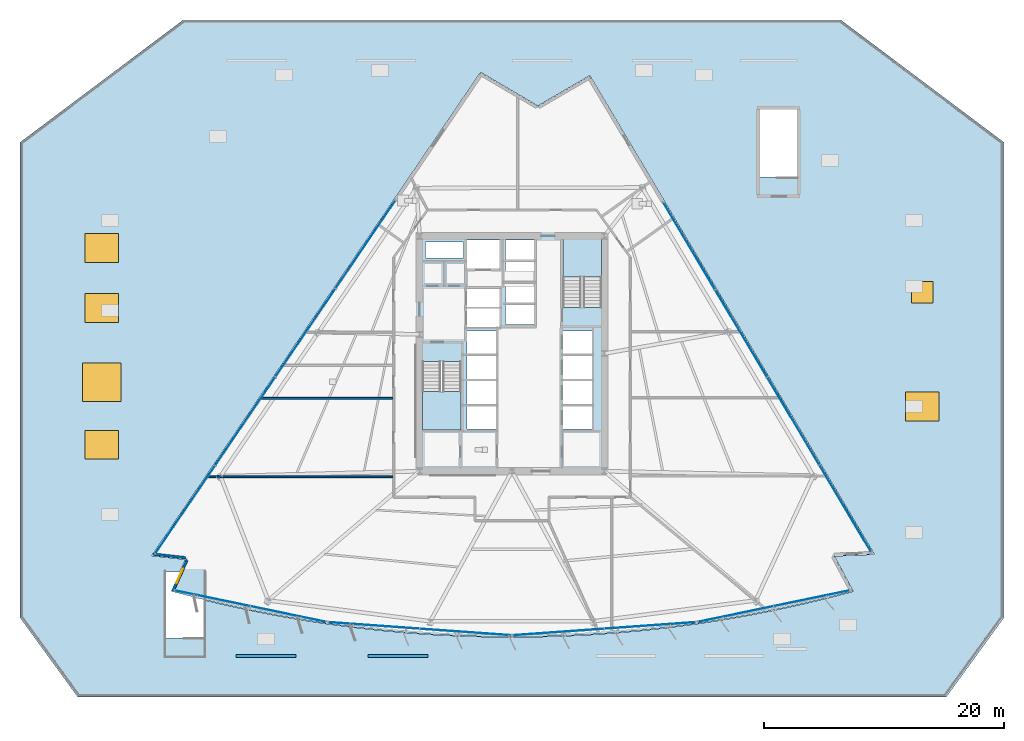
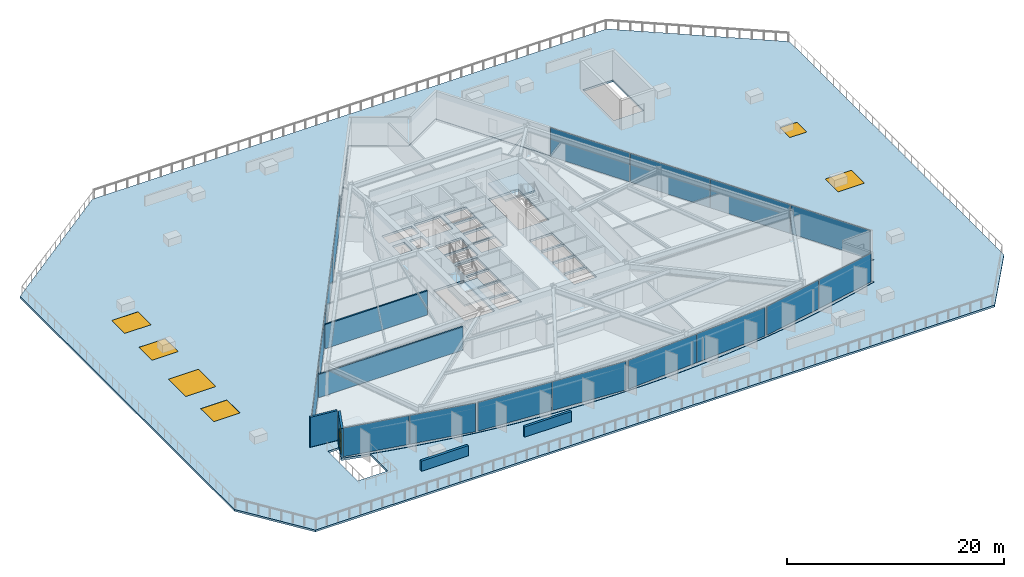
# One storey, part 7 of 19: 16 plates, 6 walls, 6 windows, 4 slabs, 1 door, 7 openings, 8 elements without a shape of their own.
"""IFC4 building model written with IfcOpenShell, lengths in metres."""

from ifc_helpers import new_model, si_unit, direction, frame, frame_2d, origin, origin_2d, place, context, subcontext, project, spatial, polyline, rectangle, outline, extrude, material, layer, layer_set, type_object, element, fill, aggregate, save


model = new_model("IFC4")

# Units and contexts
model_context = context("Model", 3, precision=1e-05, world=origin(), true_north=direction((0.0, 1.0)))
body_context = subcontext(model_context, "Body", "Model", "MODEL_VIEW")
ifc_project = project(units=[si_unit("LENGTHUNIT", "METRE"), si_unit("AREAUNIT", "SQUARE_METRE"), si_unit("VOLUMEUNIT", "CUBIC_METRE"), si_unit("PLANEANGLEUNIT", "RADIAN"), si_unit("MASSUNIT", "GRAM", prefix="KILO")], contexts=[model_context])

# Site, building, storey
site_placement = place(None, origin())
site = spatial("IfcSite", under=ifc_project, at=site_placement, CompositionType="ELEMENT")
building_placement = place(site_placement, origin())
building = spatial("IfcBuilding", under=site, at=building_placement, Name="Savorim Split Tower", CompositionType="ELEMENT")
storey_placement = place(building_placement, frame((0.0, 0.0, 26.39990234375)))
storey = spatial("IfcBuildingStorey", under=building, at=storey_placement, Name="L06", CompositionType="ELEMENT", Elevation=26.39990234375)

# Curtain wall, plates
ifc_material_1 = material(Name="Dark Ceramic-Fritted Insulated Glass", Category="glass")
curtain_wall_type = type_object("IfcCurtainWallType", Name="CW-TWR-FRIT-A", PredefinedType="NOTDEFINED", material=ifc_material_1)
curtain_wall_1_placement = place(storey_placement, origin())
curtain_wall_1 = element("IfcCurtainWall", 1, at=curtain_wall_1_placement, inside=storey, type_object=curtain_wall_type, Name="L06 Curtain Wall CW-L06-SF1", PredefinedType="NOTDEFINED")
ifc_layer_1 = layer(ifc_material_1, 0.028076171875)
ifc_layer_set_1 = layer_set([ifc_layer_1], Name="CWP-FRITA-28")
plate_type = type_object("IfcPlateType", Name="CWP-FRITA-28", PredefinedType="CURTAIN_PANEL", material=ifc_layer_set_1)
plate_1_placement = place(storey_placement, frame((-24.96826171875, -19.98974609375, 0.05517578125), z_axis=(0.0, 0.0, 1.0), x_axis=(0.979135110549, -0.203210322793, 0.0)))
plate_1 = element("IfcPlate", 2, at=plate_1_placement, type_object=plate_type, Name="CW-02 panel 1.1", PredefinedType="CURTAIN_PANEL", context=body_context, shape_type="SweptSolid", body=[
    extrude(rectangle(XDim=6.39013671875, YDim=0.028076171875, at=origin_2d()), origin(), (0.0, 0.0, 1.0), 3.239990234375),
])
plate_2_placement = place(storey_placement, frame((-18.647705078125, -21.301513671875, 0.05517578125), z_axis=(0.0, 0.0, 1.0), x_axis=(0.979135110549, -0.203210322793, 0.0)))
plate_2 = element("IfcPlate", 3, at=plate_2_placement, type_object=plate_type, Name="CW-02 panel 2.1", PredefinedType="CURTAIN_PANEL", context=body_context, shape_type="SweptSolid", body=[
    extrude(rectangle(XDim=6.39013671875, YDim=0.028076171875, at=origin_2d()), origin(), (0.0, 0.0, 1.0), 3.239990234375),
])
aggregate(curtain_wall_1, [plate_1, plate_2])

curtain_wall_2_placement = place(storey_placement, origin())
curtain_wall_2 = element("IfcCurtainWall", 4, at=curtain_wall_2_placement, inside=storey, type_object=curtain_wall_type, Name="L06 Curtain Wall CW-L06-SF2", PredefinedType="NOTDEFINED")
plate_3_placement = place(storey_placement, frame((-11.51123046875, -22.25390625, 0.05517578125), z_axis=(0.0, 0.0, 1.0), x_axis=(0.997436282589, -0.071560199658, 0.0)))
plate_3 = element("IfcPlate", 5, at=plate_3_placement, type_object=plate_type, Name="CW-02 panel 1.1", PredefinedType="CURTAIN_PANEL", context=body_context, shape_type="SweptSolid", body=[
    extrude(rectangle(XDim=7.572998046875, YDim=0.028076171875, at=origin_2d()), origin(), (0.0, 0.0, 1.0), 3.239990234375),
])
plate_4_placement = place(storey_placement, frame((-3.892822265625, -22.80029296875, 0.05517578125), z_axis=(0.0, 0.0, 1.0), x_axis=(0.997436282589, -0.071560199658, 0.0)))
plate_4 = element("IfcPlate", 6, at=plate_4_placement, type_object=plate_type, Name="CW-02 panel 2.1", PredefinedType="CURTAIN_PANEL", context=body_context, shape_type="SweptSolid", body=[
    extrude(rectangle(XDim=7.572998046875, YDim=0.028076171875, at=origin_2d()), origin(), (0.0, 0.0, 1.0), 3.239990234375),
])
aggregate(curtain_wall_2, [plate_3, plate_4])

curtain_wall_3_placement = place(storey_placement, origin())
curtain_wall_3 = element("IfcCurtainWall", 7, at=curtain_wall_3_placement, inside=storey, type_object=curtain_wall_type, Name="L06 Curtain Wall CW-L06-SF3", PredefinedType="NOTDEFINED")
plate_5_placement = place(storey_placement, frame((3.892822265625, -22.80029296875, 0.05517578125), z_axis=(0.0, 0.0, 1.0), x_axis=(0.997436282589, 0.071560199658, 0.0)))
plate_5 = element("IfcPlate", 8, at=plate_5_placement, type_object=plate_type, Name="CW-02 panel 1.1", PredefinedType="CURTAIN_PANEL", context=body_context, shape_type="SweptSolid", body=[
    extrude(rectangle(XDim=7.572998046875, YDim=0.028076171875, at=origin_2d()), origin(), (0.0, 0.0, 1.0), 3.239990234375),
])
plate_6_placement = place(storey_placement, frame((11.51123046875, -22.25390625, 0.05517578125), z_axis=(0.0, 0.0, 1.0), x_axis=(0.997436282589, 0.071560199658, 0.0)))
plate_6 = element("IfcPlate", 9, at=plate_6_placement, type_object=plate_type, Name="CW-02 panel 2.1", PredefinedType="CURTAIN_PANEL", context=body_context, shape_type="SweptSolid", body=[
    extrude(rectangle(XDim=7.572998046875, YDim=0.028076171875, at=origin_2d()), origin(), (0.0, 0.0, 1.0), 3.239990234375),
])
aggregate(curtain_wall_3, [plate_5, plate_6])

curtain_wall_4_placement = place(storey_placement, origin())
curtain_wall_4 = element("IfcCurtainWall", 10, at=curtain_wall_4_placement, inside=storey, type_object=curtain_wall_type, Name="L06 Curtain Wall CW-L06-SF4", PredefinedType="NOTDEFINED")
plate_7_placement = place(storey_placement, frame((18.647705078125, -21.301513671875, 0.05517578125), z_axis=(0.0, 0.0, 1.0), x_axis=(0.979135110549, 0.203210322793, 0.0)))
plate_7 = element("IfcPlate", 11, at=plate_7_placement, type_object=plate_type, Name="CW-02 panel 1.1", PredefinedType="CURTAIN_PANEL", context=body_context, shape_type="SweptSolid", body=[
    extrude(rectangle(XDim=6.39013671875, YDim=0.028076171875, at=origin_2d()), origin(), (0.0, 0.0, 1.0), 3.239990234375),
])
plate_8_placement = place(storey_placement, frame((24.96826171875, -19.98974609375, 0.05517578125), z_axis=(0.0, 0.0, 1.0), x_axis=(0.979135110549, 0.203210322793, 0.0)))
plate_8 = element("IfcPlate", 12, at=plate_8_placement, type_object=plate_type, Name="CW-02 panel 2.1", PredefinedType="CURTAIN_PANEL", context=body_context, shape_type="SweptSolid", body=[
    extrude(rectangle(XDim=6.39013671875, YDim=0.028076171875, at=origin_2d()), origin(), (0.0, 0.0, 1.0), 3.239990234375),
])
aggregate(curtain_wall_4, [plate_7, plate_8])

curtain_wall_5_placement = place(storey_placement, origin())
curtain_wall_5 = element("IfcCurtainWall", 13, at=curtain_wall_5_placement, inside=storey, type_object=curtain_wall_type, Name="L06 Curtain Wall CW-L06-EAST", PredefinedType="NOTDEFINED")
plate_9_placement = place(storey_placement, frame((27.76611328125, -12.51416015625, 0.05517578125), z_axis=(0.0, 0.0, 1.0), x_axis=(-0.511092439425, 0.859525752007, 0.0)))
plate_9 = element("IfcPlate", 14, at=plate_9_placement, type_object=plate_type, Name="CW-02 panel 1.1", PredefinedType="CURTAIN_PANEL", context=body_context, shape_type="SweptSolid", body=[
    extrude(rectangle(XDim=8.394775390625, YDim=0.028076171875, at=origin_2d()), origin(), (0.0, 0.0, 1.0), 3.239990234375),
])
plate_10_placement = place(storey_placement, frame((23.43408203125, -5.228759765625, 0.05517578125), z_axis=(0.0, 0.0, 1.0), x_axis=(-0.511092439425, 0.859525752007, 0.0)))
plate_10 = element("IfcPlate", 15, at=plate_10_placement, type_object=plate_type, Name="CW-02 panel 2.1", PredefinedType="CURTAIN_PANEL", context=body_context, shape_type="SweptSolid", body=[
    extrude(rectangle(XDim=8.42724609375, YDim=0.028076171875, at=origin_2d()), origin(), (0.0, 0.0, 1.0), 3.239990234375),
])
plate_11_placement = place(storey_placement, frame((19.093505859375, 2.070556640625, 0.05517578125), z_axis=(0.0, 0.0, 1.0), x_axis=(-0.511092439425, 0.859525752007, 0.0)))
plate_11 = element("IfcPlate", 16, at=plate_11_placement, type_object=plate_type, Name="CW-02 panel 3.1", PredefinedType="CURTAIN_PANEL", context=body_context, shape_type="SweptSolid", body=[
    extrude(rectangle(XDim=8.42724609375, YDim=0.028076171875, at=origin_2d()), origin(), (0.0, 0.0, 1.0), 3.239990234375),
])
plate_12_placement = place(storey_placement, frame((14.761474609375, 9.35595703125, 0.05517578125), z_axis=(0.0, 0.0, 1.0), x_axis=(-0.511092439425, 0.859525752007, 0.0)))
plate_12 = element("IfcPlate", 17, at=plate_12_placement, type_object=plate_type, Name="CW-02 panel 4.1", PredefinedType="CURTAIN_PANEL", context=body_context, shape_type="SweptSolid", body=[
    extrude(rectangle(XDim=8.394775390625, YDim=0.028076171875, at=origin_2d()), origin(), (0.0, 0.0, 1.0), 3.239990234375),
])
aggregate(curtain_wall_5, [plate_9, plate_10, plate_11, plate_12])

curtain_wall_6_placement = place(storey_placement, origin())
curtain_wall_6 = element("IfcCurtainWall", 18, at=curtain_wall_6_placement, inside=storey, type_object=curtain_wall_type, Name="L06 Curtain Wall CW-L06-WEST", PredefinedType="NOTDEFINED")
plate_13_placement = place(storey_placement, frame((-12.20166015625, 9.489990234375, 0.05517578125), z_axis=(0.0, 0.0, 1.0), x_axis=(-0.562465253164, -0.826820923165, 0.0)))
plate_13 = element("IfcPlate", 19, at=plate_13_placement, type_object=plate_type, Name="CW-02 panel 1.1", PredefinedType="CURTAIN_PANEL", context=body_context, shape_type="SweptSolid", body=[
    extrude(rectangle(XDim=8.822265625, YDim=0.028076171875, at=origin_2d()), origin(), (0.0, 0.0, 1.0), 3.239990234375),
])
plate_14_placement = place(storey_placement, frame((-17.20947265625, 2.12841796875, 0.05517578125), z_axis=(0.0, 0.0, 1.0), x_axis=(-0.562465253164, -0.826820923165, 0.0)))
plate_14 = element("IfcPlate", 20, at=plate_14_placement, type_object=plate_type, Name="CW-02 panel 2.1", PredefinedType="CURTAIN_PANEL", context=body_context, shape_type="SweptSolid", body=[
    extrude(rectangle(XDim=8.854736328125, YDim=0.028076171875, at=origin_2d()), origin(), (0.0, 0.0, 1.0), 3.239990234375),
])
plate_15_placement = place(storey_placement, frame((-22.2265625, -5.24658203125, 0.05517578125), z_axis=(0.0, 0.0, 1.0), x_axis=(-0.562465253164, -0.826820923165, 0.0)))
plate_15 = element("IfcPlate", 21, at=plate_15_placement, type_object=plate_type, Name="CW-02 panel 3.1", PredefinedType="CURTAIN_PANEL", context=body_context, shape_type="SweptSolid", body=[
    extrude(rectangle(XDim=8.854736328125, YDim=0.028076171875, at=origin_2d()), origin(), (0.0, 0.0, 1.0), 3.239990234375),
])
plate_16_placement = place(storey_placement, frame((-27.234375, -12.608154296875, 0.05517578125), z_axis=(0.0, 0.0, 1.0), x_axis=(-0.562465253164, -0.826820923165, 0.0)))
plate_16 = element("IfcPlate", 22, at=plate_16_placement, type_object=plate_type, Name="CW-02 panel 4.1", PredefinedType="CURTAIN_PANEL", context=body_context, shape_type="SweptSolid", body=[
    extrude(rectangle(XDim=8.822265625, YDim=0.028076171875, at=origin_2d()), origin(), (0.0, 0.0, 1.0), 3.239990234375),
])
aggregate(curtain_wall_6, [plate_13, plate_14, plate_15, plate_16])

# Slab
ifc_material_2 = material(Name="Concrete C50/60", Category="concrete")
ifc_layer_2 = layer(ifc_material_2, 0.219970703125)
ifc_layer_set_2 = layer_set([ifc_layer_2], Name="SLB-GDN-220")
slab_type_1 = type_object("IfcSlabType", Name="SLB-GDN-220", PredefinedType="FLOOR", material=ifc_layer_set_2)
slab_1_placement = place(storey_placement, frame((0.0, 0.0, -0.25)))
element("IfcSlab", 23, at=slab_1_placement, inside=storey, type_object=slab_type_1, Name="L06 Tower Base Floor Slab", PredefinedType="FLOOR", context=body_context, shape_type="SweptSolid", body=[
    extrude(outline(polyline([(-28.39990234375, -19.39990234375), (-26.261474609375, -19.959228515625), (-24.11181640625, -20.474609375), (-21.951904296875, -20.946044921875), (-19.783203125, -21.373046875), (-17.60595703125, -21.755615234375), (-15.42138671875, -22.093505859375), (-13.230224609375, -22.38671875), (-11.03369140625, -22.635009765625), (-8.83251953125, -22.83837890625), (-6.627685546875, -22.99658203125), (-4.419921875, -23.109619140625), (-2.21044921875, -23.177490234375), (0.0, -23.199951171875), (2.21044921875, -23.177490234375), (4.419921875, -23.109619140625), (6.627685546875, -22.99658203125), (8.83251953125, -22.83837890625), (11.03369140625, -22.635009765625), (13.230224609375, -22.38671875), (15.42138671875, -22.093505859375), (17.60595703125, -21.755615234375), (19.783203125, -21.373046875), (21.951904296875, -20.946044921875), (24.11181640625, -20.474609375), (26.261474609375, -19.959228515625), (28.39990234375, -19.39990234375), (26.81591796875, -16.447998046875), (30.16015625, -16.3056640625), (6.473876953125, 23.5283203125), (2.14990234375, 21.00830078125), (-2.6083984375, 23.80517578125), (-29.97509765625, -16.423583984375), (-27.176025390625, -16.736083984375), (-28.39990234375, -19.39990234375)]), holes=[polyline([(-7.449951171875, -0.25390625), (-7.449951171875, -5.949951171875), (-4.25, -5.949951171875), (-4.25, -0.25390625), (-7.449951171875, -0.25390625)]), polyline([(7.449951171875, 4.25390625), (7.449951171875, 9.949951171875), (4.25, 9.949951171875), (4.25, 4.25390625), (7.449951171875, 4.25390625)]), polyline([(4.25, -5.89990234375), (6.64990234375, -5.89990234375), (6.64990234375, -4.0), (4.25, -4.0), (4.25, -5.89990234375)]), polyline([(4.25, -3.800048828125), (6.64990234375, -3.800048828125), (6.64990234375, -1.89990234375), (4.25, -1.89990234375), (4.25, -3.800048828125)]), polyline([(4.25, -1.699951171875), (6.64990234375, -1.699951171875), (6.64990234375, 0.199951171875), (4.25, 0.199951171875), (4.25, -1.699951171875)]), polyline([(4.25, 0.39990234375), (6.64990234375, 0.39990234375), (6.64990234375, 2.300048828125), (4.25, 2.300048828125), (4.25, 0.39990234375)]), polyline([(-3.75, -5.89990234375), (-1.35009765625, -5.89990234375), (-1.35009765625, -4.0), (-3.75, -4.0), (-3.75, -5.89990234375)]), polyline([(-3.75, -3.800048828125), (-1.35009765625, -3.800048828125), (-1.35009765625, -1.89990234375), (-3.75, -1.89990234375), (-3.75, -3.800048828125)]), polyline([(-3.75, -1.699951171875), (-1.35009765625, -1.699951171875), (-1.35009765625, 0.199951171875), (-3.75, 0.199951171875), (-3.75, -1.699951171875)]), polyline([(-3.75, 0.39990234375), (-1.35009765625, 0.39990234375), (-1.35009765625, 2.300048828125), (-3.75, 2.300048828125), (-3.75, 0.39990234375)]), polyline([(-0.550048828125, 2.830078125), (1.85009765625, 2.830078125), (1.85009765625, 4.469970703125), (-0.550048828125, 4.469970703125), (-0.550048828125, 2.830078125)]), polyline([(-0.550048828125, 4.6298828125), (1.85009765625, 4.6298828125), (1.85009765625, 6.27001953125), (-0.550048828125, 6.27001953125), (-0.550048828125, 4.6298828125)]), polyline([(-0.550048828125, 6.429931640625), (1.85009765625, 6.429931640625), (1.85009765625, 8.070068359375), (-0.550048828125, 8.070068359375), (-0.550048828125, 6.429931640625)]), polyline([(-0.550048828125, 8.22998046875), (1.85009765625, 8.22998046875), (1.85009765625, 9.8701171875), (-0.550048828125, 9.8701171875), (-0.550048828125, 8.22998046875)]), polyline([(-3.75, 2.60009765625), (-1.050048828125, 2.60009765625), (-1.050048828125, 4.159912109375), (-3.75, 4.159912109375), (-3.75, 2.60009765625)]), polyline([(-3.75, 4.280029296875), (-1.050048828125, 4.280029296875), (-1.050048828125, 5.840087890625), (-3.75, 5.840087890625), (-3.75, 4.280029296875)]), polyline([(-3.75, 7.449951171875), (-0.949951171875, 7.449951171875), (-0.949951171875, 9.85009765625), (-3.75, 9.85009765625), (-3.75, 7.449951171875)]), polyline([(-7.219970703125, 6.320068359375), (-5.919921875, 6.320068359375), (-5.919921875, 7.820068359375), (-7.219970703125, 7.820068359375), (-7.219970703125, 6.320068359375)]), polyline([(-5.3798828125, 6.320068359375), (-4.050048828125, 6.320068359375), (-4.050048828125, 7.820068359375), (-5.3798828125, 7.820068359375), (-5.3798828125, 6.320068359375)]), polyline([(-7.219970703125, 8.360107421875), (-4.050048828125, 8.360107421875), (-4.050048828125, 9.719970703125), (-7.219970703125, 9.719970703125), (-7.219970703125, 8.360107421875)])]), origin(), (0.0, 0.0, 1.0), 0.25),
])

# Slab, openings, windows
slab_2_placement = place(storey_placement, frame((0.0, 0.0, -0.219970703125)))
slab_2 = element("IfcSlab", 24, at=slab_2_placement, inside=storey, type_object=slab_type_1, Name="L06 Raised Public Garden Roof Deck Slab", PredefinedType="FLOOR", context=body_context, shape_type="SweptSolid", body=[
    extrude(outline(polyline([(-41.0, 18.0), (-41.0, -21.60009765625), (-36.199951171875, -28.199951171875), (36.199951171875, -28.199951171875), (41.0, -21.60009765625), (41.0, 18.0), (27.39990234375, 28.199951171875), (-27.39990234375, 28.199951171875), (-41.0, 18.0)]), holes=[polyline([(-25.64990234375, -20.13671875), (-25.64990234375, -23.2958984375), (-28.85009765625, -23.2958984375), (-28.85009765625, -17.800048828125), (-27.697998046875, -17.800048828125), (-27.220703125, -16.76123046875), (-29.978515625, -16.453369140625), (-29.981201171875, -16.452880859375), (-29.984130859375, -16.4521484375), (-29.98681640625, -16.451171875), (-29.989501953125, -16.44970703125), (-29.9921875, -16.4482421875), (-29.994384765625, -16.446533203125), (-29.99658203125, -16.444580078125), (-29.99853515625, -16.4423828125), (-30.000244140625, -16.43994140625), (-30.001708984375, -16.4375), (-30.0029296875, -16.434814453125), (-30.00390625, -16.431884765625), (-30.004638671875, -16.42919921875), (-30.0048828125, -16.426025390625), (-30.005126953125, -16.423095703125), (-30.0048828125, -16.42041015625), (-30.00439453125, -16.41748046875), (-30.003662109375, -16.41455078125), (-30.002685546875, -16.411865234375), (-30.00146484375, -16.4091796875), (-30.0, -16.406494140625), (-2.63330078125, 23.822021484375), (-2.631591796875, 23.824462890625), (-2.62939453125, 23.82666015625), (-2.627197265625, 23.82861328125), (-2.624755859375, 23.830322265625), (-2.6220703125, 23.831787109375), (-2.619384765625, 23.8330078125), (-2.616455078125, 23.833984375), (-2.613525390625, 23.834716796875), (-2.610595703125, 23.8349609375), (-2.607666015625, 23.835205078125), (-2.6044921875, 23.834716796875), (-2.6015625, 23.834228515625), (-2.598876953125, 23.83349609375), (-2.595947265625, 23.83251953125), (-2.59326171875, 23.8310546875), (2.150146484375, 21.043212890625), (6.458740234375, 23.55419921875), (6.461181640625, 23.5556640625), (6.464111328125, 23.556884765625), (6.466796875, 23.5576171875), (6.4697265625, 23.55810546875), (6.47265625, 23.558349609375), (6.4755859375, 23.558349609375), (6.478515625, 23.55810546875), (6.481201171875, 23.557373046875), (6.484130859375, 23.556640625), (6.48681640625, 23.555419921875), (6.489501953125, 23.553955078125), (6.49169921875, 23.552490234375), (6.494140625, 23.550537109375), (6.49609375, 23.54833984375), (6.498046875, 23.546142578125), (6.49951171875, 23.543701171875), (30.185791015625, -16.290283203125), (30.187255859375, -16.29296875), (30.1884765625, -16.295654296875), (30.189208984375, -16.298583984375), (30.189697265625, -16.301513671875), (30.190185546875, -16.304443359375), (30.190185546875, -16.307373046875), (30.189697265625, -16.310302734375), (30.189208984375, -16.31298828125), (30.188232421875, -16.31591796875), (30.187255859375, -16.318603515625), (30.185791015625, -16.3212890625), (30.18408203125, -16.32373046875), (30.18212890625, -16.325927734375), (30.18017578125, -16.327880859375), (30.177734375, -16.329833984375), (30.17529296875, -16.33154296875), (30.1728515625, -16.3330078125), (30.169921875, -16.333984375), (30.167236328125, -16.334716796875), (30.164306640625, -16.33544921875), (30.161376953125, -16.335693359375), (26.864990234375, -16.475830078125), (28.426513671875, -19.3857421875), (28.427734375, -19.388427734375), (28.4287109375, -19.391357421875), (28.429443359375, -19.394287109375), (28.429931640625, -19.397216796875), (28.429931640625, -19.400390625), (28.4296875, -19.4033203125), (28.42919921875, -19.40625), (28.4287109375, -19.4091796875), (28.427490234375, -19.412109375), (28.42626953125, -19.414794921875), (28.424560546875, -19.417236328125), (28.422607421875, -19.419677734375), (28.420654296875, -19.421875), (28.418212890625, -19.423583984375), (28.416015625, -19.425537109375), (28.4130859375, -19.427001953125), (28.410400390625, -19.427978515625), (28.40771484375, -19.428955078125), (26.26904296875, -19.98828125), (26.268310546875, -19.988525390625), (24.11865234375, -20.50390625), (24.1181640625, -20.50390625), (21.95849609375, -20.975341796875), (21.957763671875, -20.9755859375), (19.788818359375, -21.402587890625), (19.788330078125, -21.402587890625), (17.611083984375, -21.78515625), (17.610595703125, -21.785400390625), (15.42578125, -22.123291015625), (15.42529296875, -22.123291015625), (13.234375, -22.41650390625), (13.233642578125, -22.41650390625), (11.037109375, -22.664794921875), (11.03662109375, -22.664794921875), (8.835205078125, -22.8681640625), (8.834716796875, -22.8681640625), (6.629638671875, -23.0263671875), (6.629150390625, -23.026611328125), (4.42138671875, -23.139404296875), (4.4208984375, -23.139404296875), (2.211181640625, -23.20751953125), (2.210693359375, -23.20751953125), (0.000244140625, -23.22998046875), (-0.000244140625, -23.22998046875), (-2.210693359375, -23.20751953125), (-2.211181640625, -23.20751953125), (-4.4208984375, -23.139404296875), (-4.42138671875, -23.139404296875), (-6.629150390625, -23.026611328125), (-6.629638671875, -23.0263671875), (-8.834716796875, -22.8681640625), (-8.835205078125, -22.8681640625), (-11.03662109375, -22.664794921875), (-11.037109375, -22.664794921875), (-13.233642578125, -22.41650390625), (-13.234375, -22.41650390625), (-15.42529296875, -22.123291015625), (-15.42578125, -22.123291015625), (-17.610595703125, -21.785400390625), (-17.611083984375, -21.78515625), (-19.788330078125, -21.402587890625), (-19.788818359375, -21.402587890625), (-21.957763671875, -20.9755859375), (-21.95849609375, -20.975341796875), (-24.1181640625, -20.50390625), (-24.11865234375, -20.50390625), (-25.64990234375, -20.13671875)]), polyline([(23.800048828125, 20.800048828125), (23.800048828125, 15.10400390625), (20.60009765625, 15.10400390625), (20.60009765625, 20.800048828125), (23.800048828125, 20.800048828125)])]), origin(), (0.0, 0.0, 1.0), 0.219970703125),
])
opening_1_placement = place(slab_2_placement, frame((-34.199951171875, -7.199951171875, -0.010009765625)))
opening_1 = element("IfcOpeningElement", 25, at=opening_1_placement, cuts=slab_2, Name="Opening SK-02", PredefinedType="OPENING", context=body_context, shape_type="SweptSolid", body=[
    extrude(rectangle(XDim=2.800048828125, YDim=2.39990234375, at=origin_2d()), origin(), (0.0, 0.0, 1.0), 0.239990234375),
])
opening_2_placement = place(slab_2_placement, frame((-34.199951171875, -2.0, -0.010009765625)))
opening_2 = element("IfcOpeningElement", 26, at=opening_2_placement, cuts=slab_2, Name="Opening SK-01", PredefinedType="OPENING", context=body_context, shape_type="SweptSolid", body=[
    extrude(rectangle(XDim=3.199951171875, YDim=3.199951171875, at=origin_2d()), origin(), (0.0, 0.0, 1.0), 0.239990234375),
])
opening_3_placement = place(slab_2_placement, frame((-34.199951171875, 4.199951171875, -0.010009765625)))
opening_3 = element("IfcOpeningElement", 27, at=opening_3_placement, cuts=slab_2, Name="Opening SK-02", PredefinedType="OPENING", context=body_context, shape_type="SweptSolid", body=[
    extrude(rectangle(XDim=2.800048828125, YDim=2.39990234375, at=origin_2d()), origin(), (0.0, 0.0, 1.0), 0.239990234375),
])
opening_4_placement = place(slab_2_placement, frame((-34.199951171875, 9.199951171875, -0.010009765625)))
opening_4 = element("IfcOpeningElement", 28, at=opening_4_placement, cuts=slab_2, Name="Opening SK-02", PredefinedType="OPENING", context=body_context, shape_type="SweptSolid", body=[
    extrude(rectangle(XDim=2.800048828125, YDim=2.39990234375, at=origin_2d()), origin(), (0.0, 0.0, 1.0), 0.239990234375),
])
opening_5_placement = place(slab_2_placement, frame((34.199951171875, -4.0, -0.010009765625)))
opening_5 = element("IfcOpeningElement", 29, at=opening_5_placement, cuts=slab_2, Name="Opening SK-02", PredefinedType="OPENING", context=body_context, shape_type="SweptSolid", body=[
    extrude(rectangle(XDim=2.800048828125, YDim=2.39990234375, at=origin_2d()), origin(), (0.0, 0.0, 1.0), 0.239990234375),
])
opening_6_placement = place(slab_2_placement, frame((34.199951171875, 5.5, -0.010009765625)))
opening_6 = element("IfcOpeningElement", 30, at=opening_6_placement, cuts=slab_2, Name="Opening SK-03", PredefinedType="OPENING", context=body_context, shape_type="SweptSolid", body=[
    extrude(rectangle(XDim=1.800048828125, YDim=1.800048828125, at=origin_2d()), origin(), (0.0, 0.0, 1.0), 0.239990234375),
])
ifc_material_3 = material(Name="Laminated Safety Skylight Glass", Category="glass")
window_type_1 = type_object("IfcWindowType", Name="SKY-ATR-2800x2400", PartitioningType="SINGLE_PANEL", PredefinedType="SKYLIGHT", material=ifc_material_3)
window_1_placement = place(opening_1_placement, frame((0.0, 0.0, 0.169921875)))
window_1 = element("IfcWindow", 31, at=window_1_placement, inside=storey, type_object=window_type_1, Name="L06 Podium Atrium Skylight 01", OverallHeight=2.39990234375, OverallWidth=2.800048828125, PartitioningType="SINGLE_PANEL", PredefinedType="SKYLIGHT", context=body_context, shape_type="SweptSolid", body=[
    extrude(rectangle(XDim=2.800048828125, YDim=2.39990234375, at=origin_2d()), origin(), (0.0, 0.0, 1.0), 0.050048828125),
])
fill(opening_1, window_1)
window_2_placement = place(opening_3_placement, frame((0.0, 0.0, 0.169921875)))
window_2 = element("IfcWindow", 32, at=window_2_placement, inside=storey, type_object=window_type_1, Name="L06 Podium Atrium Skylight 03", OverallHeight=2.39990234375, OverallWidth=2.800048828125, PartitioningType="SINGLE_PANEL", PredefinedType="SKYLIGHT", context=body_context, shape_type="SweptSolid", body=[
    extrude(rectangle(XDim=2.800048828125, YDim=2.39990234375, at=origin_2d()), origin(), (0.0, 0.0, 1.0), 0.050048828125),
])
fill(opening_3, window_2)
window_3_placement = place(opening_4_placement, frame((0.0, 0.0, 0.169921875)))
window_3 = element("IfcWindow", 33, at=window_3_placement, inside=storey, type_object=window_type_1, Name="L06 Podium Atrium Skylight 04", OverallHeight=2.39990234375, OverallWidth=2.800048828125, PartitioningType="SINGLE_PANEL", PredefinedType="SKYLIGHT", context=body_context, shape_type="SweptSolid", body=[
    extrude(rectangle(XDim=2.800048828125, YDim=2.39990234375, at=origin_2d()), origin(), (0.0, 0.0, 1.0), 0.050048828125),
])
fill(opening_4, window_3)
window_4_placement = place(opening_5_placement, frame((0.0, 0.0, 0.169921875)))
window_4 = element("IfcWindow", 34, at=window_4_placement, inside=storey, type_object=window_type_1, Name="L06 Podium Atrium Skylight 05", OverallHeight=2.39990234375, OverallWidth=2.800048828125, PartitioningType="SINGLE_PANEL", PredefinedType="SKYLIGHT", context=body_context, shape_type="SweptSolid", body=[
    extrude(rectangle(XDim=2.800048828125, YDim=2.39990234375, at=origin_2d()), origin(), (0.0, 0.0, 1.0), 0.050048828125),
])
fill(opening_5, window_4)
window_type_2 = type_object("IfcWindowType", Name="SKY-ATR-3200x3200", PartitioningType="SINGLE_PANEL", PredefinedType="SKYLIGHT", material=ifc_material_3)
window_5_placement = place(opening_2_placement, frame((0.0, 0.0, 0.169921875)))
window_5 = element("IfcWindow", 35, at=window_5_placement, inside=storey, type_object=window_type_2, Name="L06 Podium Atrium Skylight 02", OverallHeight=3.199951171875, OverallWidth=3.199951171875, PartitioningType="SINGLE_PANEL", PredefinedType="SKYLIGHT", context=body_context, shape_type="SweptSolid", body=[
    extrude(rectangle(XDim=3.199951171875, YDim=3.199951171875, at=origin_2d()), origin(), (0.0, 0.0, 1.0), 0.050048828125),
])
fill(opening_2, window_5)
window_type_3 = type_object("IfcWindowType", Name="SKY-CRN-1800x1800", PartitioningType="SINGLE_PANEL", PredefinedType="SKYLIGHT", material=ifc_material_3)
window_6_placement = place(opening_6_placement, frame((0.0, 0.0, 0.169921875)))
window_6 = element("IfcWindow", 36, at=window_6_placement, inside=storey, type_object=window_type_3, Name="L06 Podium Atrium Skylight 06", OverallHeight=1.800048828125, OverallWidth=1.800048828125, PartitioningType="SINGLE_PANEL", PredefinedType="SKYLIGHT", context=body_context, shape_type="SweptSolid", body=[
    extrude(rectangle(XDim=1.800048828125, YDim=1.800048828125, at=origin_2d()), origin(), (0.0, 0.0, 1.0), 0.050048828125),
])
fill(opening_6, window_6)

# Stair, slab
stair_type = type_object("IfcStairType", Name="STR-DOG-3600", PredefinedType="HALF_TURN_STAIR", material=ifc_material_2)
stair_1_placement = place(storey_placement, origin())
stair_1 = element("IfcStair", 37, at=stair_1_placement, inside=storey, type_object=stair_type, Name="L06 Core Protected Exit Stair ST-1", PredefinedType="HALF_TURN_STAIR")
ifc_layer_3 = layer(ifc_material_2, 0.199951171875)
ifc_layer_set_3 = layer_set([ifc_layer_3], Name="SLB-LND-200")
slab_type_2 = type_object("IfcSlabType", Name="SLB-LND-200", PredefinedType="LANDING", material=ifc_layer_set_3)
slab_3_placement = place(storey_placement, frame((0.0, 0.0, 1.60009765625)))
slab_3 = element("IfcSlab", 38, at=slab_3_placement, type_object=slab_type_2, Name="ST-1 landing 1", PredefinedType="LANDING", context=body_context, shape_type="SweptSolid", body=[
    extrude(outline(polyline([(-7.449951171875, -2.77001953125), (-7.449951171875, -5.949951171875), (-4.25, -5.949951171875), (-4.25, -2.77001953125), (-7.449951171875, -2.77001953125)])), origin(), (0.0, 0.0, 1.0), 0.199951171875),
])
aggregate(stair_1, [slab_3])

stair_2_placement = place(storey_placement, origin())
stair_2 = element("IfcStair", 39, at=stair_2_placement, inside=storey, type_object=stair_type, Name="L06 Core Protected Exit Stair ST-2", PredefinedType="HALF_TURN_STAIR")
slab_4_placement = place(storey_placement, frame((0.0, 0.0, 1.60009765625)))
slab_4 = element("IfcSlab", 40, at=slab_4_placement, type_object=slab_type_2, Name="ST-2 landing 1", PredefinedType="LANDING", context=body_context, shape_type="SweptSolid", body=[
    extrude(outline(polyline([(7.449951171875, 6.77001953125), (7.449951171875, 9.949951171875), (4.25, 9.949951171875), (4.25, 6.77001953125), (7.449951171875, 6.77001953125)])), origin(), (0.0, 0.0, 1.0), 0.199951171875),
])
aggregate(stair_2, [slab_4])

# Wall
ifc_material_4 = material(Name="Precast concrete C40/50", Category="concrete")
ifc_layer_4 = layer(ifc_material_4, 0.219970703125)
ifc_layer_set_4 = layer_set([ifc_layer_4], Name="WAL-EXT-CRN220")
wall_type_1 = type_object("IfcWallType", Name="WAL-EXT-CRN220", PredefinedType="SOLIDWALL", material=ifc_layer_set_4)
wall_1_placement = place(storey_placement, frame((-27.202392578125, -16.6123046875, 0.0), z_axis=(0.0, 0.0, 1.0), x_axis=(-0.993822658088, 0.110979837223, 0.0)))
element("IfcWall", 41, at=wall_1_placement, inside=storey, type_object=wall_type_1, Name="L06 Notched Corner Facade Wall SW1", PredefinedType="SOLIDWALL", context=body_context, shape_type="SweptSolid", body=[
    extrude(rectangle(XDim=2.736572265625, YDim=0.219970703125, at=frame_2d((1.3681640625, 0.0))), origin(), (0.0, 0.0, 1.0), 3.35009765625),
])

# Wall, opening, door
wall_2_placement = place(storey_placement, frame((-28.2744140625, -19.413818359375, 0.0), z_axis=(0.0, 0.0, 1.0), x_axis=(0.417521186742, 0.908667188041, 0.0)))
wall_2 = element("IfcWall", 42, at=wall_2_placement, inside=storey, type_object=wall_type_1, Name="L06 Notched Corner Facade Wall SW", PredefinedType="SOLIDWALL", context=body_context, shape_type="SweptSolid", body=[
    extrude(rectangle(XDim=2.851806640625, YDim=0.219970703125, at=frame_2d((1.42578125, 0.0))), origin(), (0.0, 0.0, 1.0), 3.35009765625),
])
opening_7_placement = place(wall_2_placement, frame((0.77587890625, 0.0, 0.0)))
opening_7 = element("IfcOpeningElement", 43, at=opening_7_placement, cuts=wall_2, Name="Opening DG-01", PredefinedType="OPENING", context=body_context, shape_type="SweptSolid", body=[
    extrude(rectangle(XDim=1.300048828125, YDim=2.199951171875, at=frame_2d((0.64990234375, 1.10009765625))), frame((0.0, 0.119873046875, 0.0), z_axis=(0.0, -1.0, 0.0), x_axis=(1.0, 0.0, 0.0)), (0.0, 0.0, 1.0), 0.239990234375),
])
ifc_material_5 = material(Name="Charcoal Anodised Aluminium", Category="aluminium")
door_type = type_object("IfcDoorType", Name="DOR-GDN-1300", OperationType="NOTDEFINED", PredefinedType="DOOR", material=ifc_material_5)
door_placement = place(opening_7_placement, origin())
door = element("IfcDoor", 44, at=door_placement, inside=storey, type_object=door_type, Name="DOR-L06-GDN-SW - L06 Raised Public Garden Access Door SW", OperationType="SINGLE_SWING_RIGHT", OverallHeight=2.199951171875, OverallWidth=1.300048828125, PredefinedType="DOOR", context=body_context, shape_type="SweptSolid", body=[
    extrude(rectangle(XDim=1.300048828125, YDim=2.199951171875, at=frame_2d((0.64990234375, 1.10009765625))), frame((0.0, 0.02490234375, 0.0), z_axis=(0.0, -1.0, 0.0), x_axis=(1.0, 0.0, 0.0)), (0.0, 0.0, 1.0), 0.050048828125),
])
fill(opening_7, door)

# Walls
ifc_material_6 = material(Name="Acoustic Gypsum Partition Board")
ifc_layer_5 = layer(ifc_material_6, 0.14990234375)
ifc_layer_set_5 = layer_set([ifc_layer_5], Name="WAL-PAR-150")
wall_type_2 = type_object("IfcWallType", Name="WAL-PAR-150", PredefinedType="PARTITIONING", material=ifc_layer_set_5)
wall_3_placement = place(storey_placement, frame((-9.919921875, -9.85546875, 0.0), z_axis=(0.0, 0.0, 1.0), x_axis=(-1.0, 0.0, 0.0)))
element("IfcWall", 45, at=wall_3_placement, inside=storey, type_object=wall_type_2, Name="L06 Partition W-L06-PRAD10", PredefinedType="PARTITIONING", context=body_context, shape_type="SweptSolid", body=[
    extrude(rectangle(XDim=15.381591796875, YDim=0.14990234375, at=frame_2d((7.69091796875, 0.0))), origin(), (0.0, 0.0, 1.0), 2.609130859375),
])
wall_4_placement = place(storey_placement, frame((-9.919921875, -3.33056640625, 0.0), z_axis=(0.0, 0.0, 1.0), x_axis=(-1.0, 0.0, 0.0)))
element("IfcWall", 46, at=wall_4_placement, inside=storey, type_object=wall_type_2, Name="L06 Partition W-L06-SUB01", PredefinedType="PARTITIONING", context=body_context, shape_type="SweptSolid", body=[
    extrude(rectangle(XDim=10.942626953125, YDim=0.14990234375, at=frame_2d((5.47119140625, 0.0))), origin(), (0.0, 0.0, 1.0), 2.735107421875),
])
ifc_layer_6 = layer(ifc_material_2, 0.25)
ifc_layer_set_6 = layer_set([ifc_layer_6], Name="WAL-PAR-UP250")
wall_type_3 = type_object("IfcWallType", Name="WAL-PAR-UP250", PredefinedType="PARAPET", material=ifc_layer_set_6)
for number, where, z_axis, x_axis, name in (
    (47, (-23.0, -24.800048828125, -0.0498046875), (0.0, 0.0, 1.0), (1.0, 0.0, 0.0), "L06 Garden Terrace Planter Parapet 1"),
    (48, (-12.0, -24.800048828125, -0.0498046875), (0.0, 0.0, 1.0), (1.0, 0.0, 0.0), "L06 Garden Terrace Planter Parapet 2"),
):
    element("IfcWall", number, at=place(storey_placement, frame(where, z_axis=z_axis, x_axis=x_axis)), inside=storey, type_object=wall_type_3, Name=name, PredefinedType="PARAPET", context=body_context, shape_type="SweptSolid", body=[
        extrude(rectangle(XDim=5.0, YDim=0.25, at=frame_2d((2.5, 0.0))), origin(), (0.0, 0.0, 1.0), 1.199951171875),
    ])

save(model, "model.ifc")
